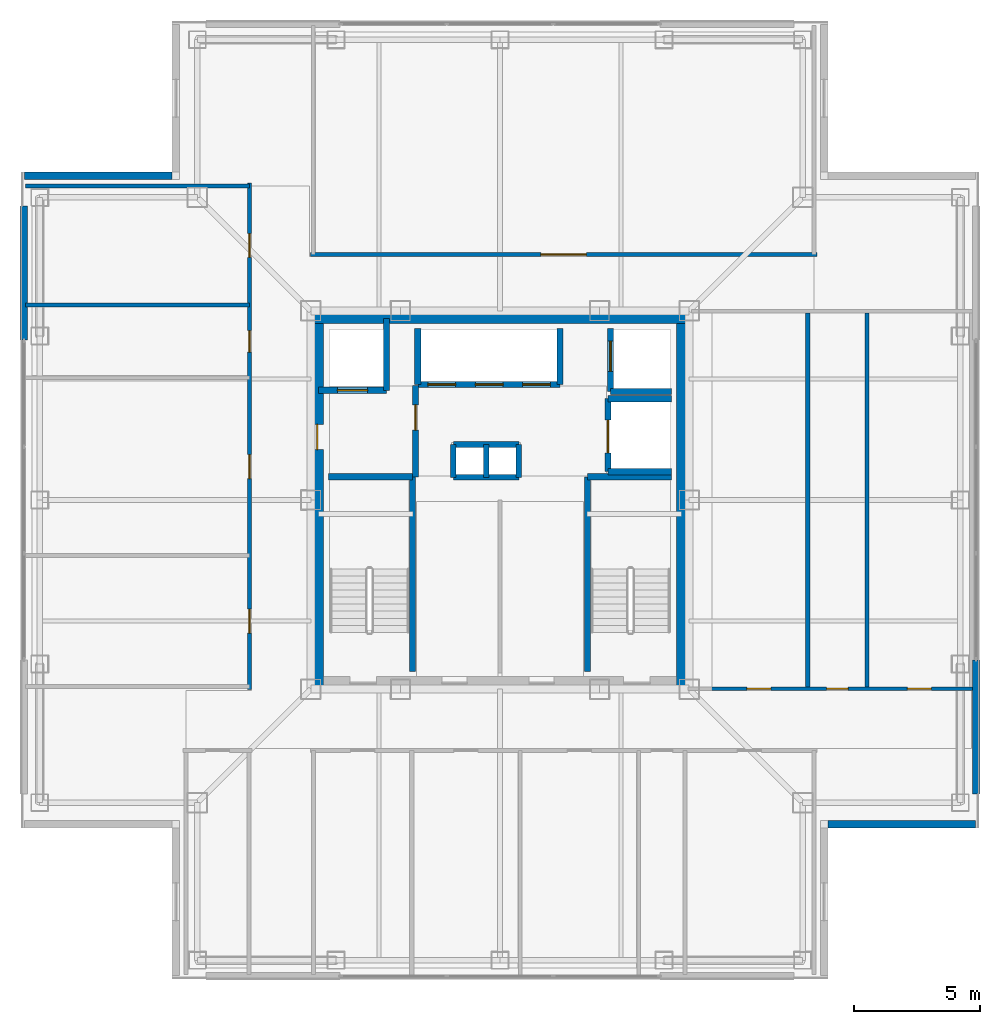
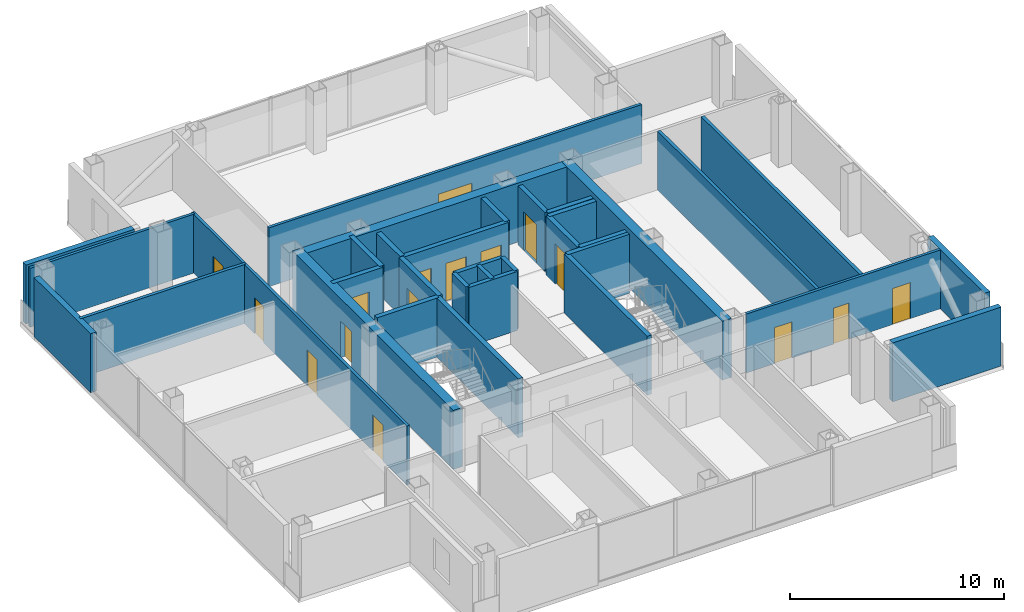
# One storey, part 9 of 16: 34 walls, 16 doors, 16 openings.
"""IFC4 building model written with IfcOpenShell, lengths in metres."""

from ifc_helpers import new_model, si_unit, direction, frame, frame_2d, origin, place, context, subcontext, project, spatial, rectangle, extrude, material, layer, layer_set, type_object, element, fill, save


model = new_model("IFC4")

# Units and contexts
model_context = context("Model", 3, precision=1e-05, world=origin(), true_north=direction((0.0, 1.0)))
body_context = subcontext(model_context, "Body", "Model", "MODEL_VIEW")
ifc_project = project(units=[si_unit("LENGTHUNIT", "METRE"), si_unit("AREAUNIT", "SQUARE_METRE"), si_unit("VOLUMEUNIT", "CUBIC_METRE"), si_unit("PLANEANGLEUNIT", "RADIAN"), si_unit("MASSUNIT", "GRAM", prefix="KILO")], contexts=[model_context])

# Site, building, storey
site_placement = place(None, origin())
site = spatial("IfcSite", under=ifc_project, at=site_placement, CompositionType="ELEMENT")
building_placement = place(site_placement, origin())
building = spatial("IfcBuilding", under=site, at=building_placement, Name="Trevonay Congress Spire", CompositionType="ELEMENT")
storey_placement = place(building_placement, frame((0.0, 0.0, 290.0)))
storey = spatial("IfcBuildingStorey", under=building, at=storey_placement, Name="L76", CompositionType="ELEMENT", Elevation=290.0)

# Wall
ifc_material_1 = material(Name="Concrete C50/60", Category="concrete")
ifc_layer_1 = layer(ifc_material_1, 0.5, Name="Concrete C50/60")
ifc_layer_set_1 = layer_set([ifc_layer_1], Name="Concrete C50/60")
wall_type_1 = type_object("IfcWallType", Name="WAL-CORE-500", PredefinedType="SHEAR", material=ifc_layer_set_1)
wall_1_placement = place(storey_placement, frame((-7.5, 7.25, 0.0), z_axis=(0.0, 0.0, 1.0), x_axis=(1.0, 0.0, 0.0)))
element("IfcWall", 1, at=wall_1_placement, inside=storey, type_object=wall_type_1, Name="L76 North structural core shear wall", PredefinedType="SHEAR", context=body_context, shape_type="SweptSolid", body=[
    extrude(rectangle(XDim=15.0, YDim=0.5, at=frame_2d((7.5, 0.0))), origin(), (0.0, 0.0, 1.0), 3.360107421875),
])

# Wall, opening, door
wall_2_placement = place(storey_placement, frame((-7.25, -7.5, 0.0), z_axis=(0.0, 0.0, 1.0), x_axis=(0.0, 1.0, 0.0)))
wall_2 = element("IfcWall", 2, at=wall_2_placement, inside=storey, type_object=wall_type_1, Name="L76 West structural core shear wall", PredefinedType="SHEAR", context=body_context, shape_type="SweptSolid", body=[
    extrude(rectangle(XDim=15.0, YDim=0.5, at=frame_2d((7.5, 0.0))), origin(), (0.0, 0.0, 1.0), 3.360107421875),
])
opening_1_placement = place(wall_2_placement, frame((9.5, 0.0, 0.0)))
opening_1 = element("IfcOpeningElement", 3, at=opening_1_placement, cuts=wall_2, Name="Opening D06", PredefinedType="OPENING", context=body_context, shape_type="SweptSolid", body=[
    extrude(rectangle(XDim=1.0, YDim=2.080078125, at=frame_2d((0.5, 1.0400390625))), frame((0.0, 0.260009765625, 0.0), z_axis=(0.0, -1.0, 0.0), x_axis=(1.0, 0.0, 0.0)), (0.0, 0.0, 1.0), 0.52001953125),
])
ifc_material_2 = material(Name="Steel ASTM A572 Grade 50", Category="steel")
door_type_1 = type_object("IfcDoorType", Name="DOR-FIRE-100", OperationType="NOTDEFINED", PredefinedType="DOOR", material=ifc_material_2)
door_1_placement = place(opening_1_placement, origin())
door_1 = element("IfcDoor", 4, at=door_1_placement, inside=storey, type_object=door_type_1, Name="L76 Firefighting Lift Lobby West Corridor Door", OperationType="SINGLE_SWING_LEFT", OverallHeight=2.080078125, OverallWidth=1.0, PredefinedType="DOOR", context=body_context, shape_type="SweptSolid", body=[
    extrude(rectangle(XDim=1.0, YDim=2.080078125, at=frame_2d((0.5, 1.0400390625))), frame((0.0, 0.02490234375, 0.0), z_axis=(0.0, -1.0, 0.0), x_axis=(1.0, 0.0, 0.0)), (0.0, 0.0, 1.0), 0.050048828125),
])
fill(opening_1, door_1)

# Wall
wall_3_placement = place(storey_placement, frame((7.25, -7.5, 0.0), z_axis=(0.0, 0.0, 1.0), x_axis=(0.0, 1.0, 0.0)))
element("IfcWall", 5, at=wall_3_placement, inside=storey, type_object=wall_type_1, Name="L76 East structural core shear wall", PredefinedType="SHEAR", context=body_context, shape_type="SweptSolid", body=[
    extrude(rectangle(XDim=15.0, YDim=0.5, at=frame_2d((7.5, 0.0))), origin(), (0.0, 0.0, 1.0), 3.360107421875),
])

# Wall, openings, doors
ifc_material_3 = material(Name="Concrete C40/50", Category="concrete")
ifc_layer_2 = layer(ifc_material_3, 0.14990234375, Name="Concrete C40/50")
ifc_layer_set_2 = layer_set([ifc_layer_2], Name="Concrete C40/50")
wall_type_2 = type_object("IfcWallType", Name="WAL-CORR-150", PredefinedType="PARTITIONING", material=ifc_layer_set_2)
wall_4_placement = place(storey_placement, frame((-9.929931640625, -7.52001953125, 0.0), z_axis=(0.0, 0.0, 1.0), x_axis=(0.0, 1.0, 0.0)))
wall_4 = element("IfcWall", 6, at=wall_4_placement, inside=storey, type_object=wall_type_2, Name="L76 interior wall WP-L76NW-COR", PredefinedType="PARTITIONING", context=body_context, shape_type="SweptSolid", body=[
    extrude(rectangle(XDim=20.090087890625, YDim=0.14990234375, at=frame_2d((10.044921875, 0.0))), origin(), (0.0, 0.0, 1.0), 3.360107421875),
])
opening_2_placement = place(wall_4_placement, frame((2.2451171875, 0.0, 0.0)))
opening_2 = element("IfcOpeningElement", 7, at=opening_2_placement, cuts=wall_4, Name="Opening D07", PredefinedType="OPENING", context=body_context, shape_type="SweptSolid", body=[
    extrude(rectangle(XDim=0.949951171875, YDim=2.06005859375, at=frame_2d((0.47509765625, 1.030029296875))), frame((0.0, 0.0849609375, 0.0), z_axis=(0.0, -1.0, 0.0), x_axis=(1.0, 0.0, 0.0)), (0.0, 0.0, 1.0), 0.169921875),
])
opening_3_placement = place(wall_4_placement, frame((8.3701171875, 0.0, 0.0)))
opening_3 = element("IfcOpeningElement", 8, at=opening_3_placement, cuts=wall_4, Name="Opening D07", PredefinedType="OPENING", context=body_context, shape_type="SweptSolid", body=[
    extrude(rectangle(XDim=0.949951171875, YDim=2.06005859375, at=frame_2d((0.47509765625, 1.030029296875))), frame((0.0, 0.0849609375, 0.0), z_axis=(0.0, -1.0, 0.0), x_axis=(1.0, 0.0, 0.0)), (0.0, 0.0, 1.0), 0.169921875),
])
opening_4_placement = place(wall_4_placement, frame((13.385009765625, 0.0, 0.0)))
opening_4 = element("IfcOpeningElement", 9, at=opening_4_placement, cuts=wall_4, Name="Opening D10", PredefinedType="OPENING", context=body_context, shape_type="SweptSolid", body=[
    extrude(rectangle(XDim=0.85009765625, YDim=2.050048828125, at=frame_2d((0.425048828125, 1.02490234375))), frame((0.0, 0.0849609375, 0.0), z_axis=(0.0, -1.0, 0.0), x_axis=(1.0, 0.0, 0.0)), (0.0, 0.0, 1.0), 0.169921875),
])
opening_5_placement = place(wall_4_placement, frame((17.135009765625, 0.0, 0.0)))
opening_5 = element("IfcOpeningElement", 10, at=opening_5_placement, cuts=wall_4, Name="Opening D07", PredefinedType="OPENING", context=body_context, shape_type="SweptSolid", body=[
    extrude(rectangle(XDim=0.949951171875, YDim=2.06005859375, at=frame_2d((0.47509765625, 1.030029296875))), frame((0.0, 0.0849609375, 0.0), z_axis=(0.0, -1.0, 0.0), x_axis=(1.0, 0.0, 0.0)), (0.0, 0.0, 1.0), 0.169921875),
])
ifc_material_4 = material(Name="Pale Anodised Aluminium EN AW-6063-T6", Category="aluminium")
door_type_2 = type_object("IfcDoorType", Name="DOR-OFFICE-95", OperationType="NOTDEFINED", PredefinedType="DOOR", material=ifc_material_4)
door_2_placement = place(opening_2_placement, origin())
door_2 = element("IfcDoor", 11, at=door_2_placement, inside=storey, type_object=door_type_2, Name="L76 Symposium Seminar Room A Door", OperationType="SINGLE_SWING_LEFT", OverallHeight=2.06005859375, OverallWidth=0.949951171875, PredefinedType="DOOR", context=body_context, shape_type="SweptSolid", body=[
    extrude(rectangle(XDim=0.949951171875, YDim=2.06005859375, at=frame_2d((0.47509765625, 1.030029296875))), frame((0.0, 0.02490234375, 0.0), z_axis=(0.0, -1.0, 0.0), x_axis=(1.0, 0.0, 0.0)), (0.0, 0.0, 1.0), 0.050048828125),
])
fill(opening_2, door_2)
door_3_placement = place(opening_3_placement, origin())
door_3 = element("IfcDoor", 12, at=door_3_placement, inside=storey, type_object=door_type_2, Name="L76 Symposium Seminar Room B Door", OperationType="SINGLE_SWING_RIGHT", OverallHeight=2.06005859375, OverallWidth=0.949951171875, PredefinedType="DOOR", context=body_context, shape_type="SweptSolid", body=[
    extrude(rectangle(XDim=0.949951171875, YDim=2.06005859375, at=frame_2d((0.47509765625, 1.030029296875))), frame((0.0, 0.02490234375, 0.0), z_axis=(0.0, -1.0, 0.0), x_axis=(1.0, 0.0, 0.0)), (0.0, 0.0, 1.0), 0.050048828125),
])
fill(opening_3, door_3)
door_4_placement = place(opening_5_placement, origin())
door_4 = element("IfcDoor", 13, at=door_4_placement, inside=storey, type_object=door_type_2, Name="L76 Floor Supplies and Copy Room Door", OperationType="SINGLE_SWING_RIGHT", OverallHeight=2.06005859375, OverallWidth=0.949951171875, PredefinedType="DOOR", context=body_context, shape_type="SweptSolid", body=[
    extrude(rectangle(XDim=0.949951171875, YDim=2.06005859375, at=frame_2d((0.47509765625, 1.030029296875))), frame((0.0, 0.02490234375, 0.0), z_axis=(0.0, -1.0, 0.0), x_axis=(1.0, 0.0, 0.0)), (0.0, 0.0, 1.0), 0.050048828125),
])
fill(opening_5, door_4)
door_type_3 = type_object("IfcDoorType", Name="DOR-WC-85", OperationType="NOTDEFINED", PredefinedType="DOOR", material=ifc_material_4)
door_5_placement = place(opening_4_placement, origin())
door_5 = element("IfcDoor", 14, at=door_5_placement, inside=storey, type_object=door_type_3, Name="L76 Male Restroom WC Door", OperationType="SINGLE_SWING_LEFT", OverallHeight=2.050048828125, OverallWidth=0.85009765625, PredefinedType="DOOR", context=body_context, shape_type="SweptSolid", body=[
    extrude(rectangle(XDim=0.85009765625, YDim=2.050048828125, at=frame_2d((0.425048828125, 1.02490234375))), frame((0.0, 0.02490234375, 0.0), z_axis=(0.0, -1.0, 0.0), x_axis=(1.0, 0.0, 0.0)), (0.0, 0.0, 1.0), 0.050048828125),
])
fill(opening_4, door_5)

# Wall, opening, door
wall_5_placement = place(storey_placement, frame((-7.52001953125, 9.72998046875, 0.0), z_axis=(0.0, 0.0, 1.0), x_axis=(1.0, 0.0, 0.0)))
wall_5 = element("IfcWall", 15, at=wall_5_placement, inside=storey, type_object=wall_type_2, Name="L76 interior wall WP-L76N-COR", PredefinedType="PARTITIONING", context=body_context, shape_type="SweptSolid", body=[
    extrude(rectangle(XDim=20.090087890625, YDim=0.14990234375, at=frame_2d((10.044921875, 0.0))), origin(), (0.0, 0.0, 1.0), 3.360107421875),
])
opening_6_placement = place(wall_5_placement, frame((9.14501953125, 0.0, 0.0)))
opening_6 = element("IfcOpeningElement", 16, at=opening_6_placement, cuts=wall_5, Name="Opening D09", PredefinedType="OPENING", context=body_context, shape_type="SweptSolid", body=[
    extrude(rectangle(XDim=1.800048828125, YDim=2.080078125, at=frame_2d((0.89990234375, 1.0400390625))), frame((0.0, 0.0849609375, 0.0), z_axis=(0.0, -1.0, 0.0), x_axis=(1.0, 0.0, 0.0)), (0.0, 0.0, 1.0), 0.169921875),
])
door_type_4 = type_object("IfcDoorType", Name="DOR-CONF-DBL", OperationType="DOUBLE_DOOR_SINGLE_SWING", PredefinedType="DOOR", material=ifc_material_4)
door_6_placement = place(opening_6_placement, origin())
door_6 = element("IfcDoor", 17, at=door_6_placement, inside=storey, type_object=door_type_4, Name="L76 Sky Chamber Recital Auditorium Door", OperationType="DOUBLE_DOOR_SINGLE_SWING", OverallHeight=2.080078125, OverallWidth=1.800048828125, PredefinedType="DOOR", context=body_context, shape_type="SweptSolid", body=[
    extrude(rectangle(XDim=1.800048828125, YDim=2.080078125, at=frame_2d((0.89990234375, 1.0400390625))), frame((0.0, 0.02490234375, 0.0), z_axis=(0.0, -1.0, 0.0), x_axis=(1.0, 0.0, 0.0)), (0.0, 0.0, 1.0), 0.050048828125),
])
fill(opening_6, door_6)

# Wall, openings, doors
wall_6_placement = place(storey_placement, frame((8.280029296875, -7.47998046875, 0.0), z_axis=(0.0, 0.0, 1.0), x_axis=(1.0, 0.0, 0.0)))
wall_6 = element("IfcWall", 18, at=wall_6_placement, inside=storey, type_object=wall_type_2, Name="L76 interior wall WP-L76E-COR", PredefinedType="PARTITIONING", context=body_context, shape_type="SweptSolid", body=[
    extrude(rectangle(XDim=10.5400390625, YDim=0.14990234375, at=frame_2d((5.27001953125, 0.0))), origin(), (0.0, 0.0, 1.0), 3.360107421875),
])
opening_7_placement = place(wall_6_placement, frame((1.5048828125, 0.0, 0.0)))
opening_7 = element("IfcOpeningElement", 19, at=opening_7_placement, cuts=wall_6, Name="Opening D07", PredefinedType="OPENING", context=body_context, shape_type="SweptSolid", body=[
    extrude(rectangle(XDim=0.949951171875, YDim=2.06005859375, at=frame_2d((0.47509765625, 1.030029296875))), frame((0.0, 0.0849609375, 0.0), z_axis=(0.0, -1.0, 0.0), x_axis=(1.0, 0.0, 0.0)), (0.0, 0.0, 1.0), 0.169921875),
])
opening_8_placement = place(wall_6_placement, frame((4.669921875, 0.0, 0.0)))
opening_8 = element("IfcOpeningElement", 20, at=opening_8_placement, cuts=wall_6, Name="Opening D10", PredefinedType="OPENING", context=body_context, shape_type="SweptSolid", body=[
    extrude(rectangle(XDim=0.85009765625, YDim=2.050048828125, at=frame_2d((0.425048828125, 1.02490234375))), frame((0.0, 0.0849609375, 0.0), z_axis=(0.0, -1.0, 0.0), x_axis=(1.0, 0.0, 0.0)), (0.0, 0.0, 1.0), 0.169921875),
])
opening_9_placement = place(wall_6_placement, frame((7.8701171875, 0.0, 0.0)))
opening_9 = element("IfcOpeningElement", 21, at=opening_9_placement, cuts=wall_6, Name="Opening D07", PredefinedType="OPENING", context=body_context, shape_type="SweptSolid", body=[
    extrude(rectangle(XDim=0.949951171875, YDim=2.06005859375, at=frame_2d((0.47509765625, 1.030029296875))), frame((0.0, 0.0849609375, 0.0), z_axis=(0.0, -1.0, 0.0), x_axis=(1.0, 0.0, 0.0)), (0.0, 0.0, 1.0), 0.169921875),
])
door_7_placement = place(opening_7_placement, origin())
door_7 = element("IfcDoor", 22, at=door_7_placement, inside=storey, type_object=door_type_2, Name="L76 Forum Catering Kitchen Door", OperationType="SINGLE_SWING_LEFT", OverallHeight=2.06005859375, OverallWidth=0.949951171875, PredefinedType="DOOR", context=body_context, shape_type="SweptSolid", body=[
    extrude(rectangle(XDim=0.949951171875, YDim=2.06005859375, at=frame_2d((0.47509765625, 1.030029296875))), frame((0.0, 0.02490234375, 0.0), z_axis=(0.0, -1.0, 0.0), x_axis=(1.0, 0.0, 0.0)), (0.0, 0.0, 1.0), 0.050048828125),
])
fill(opening_7, door_7)
door_8_placement = place(opening_9_placement, origin())
door_8 = element("IfcDoor", 23, at=door_8_placement, inside=storey, type_object=door_type_2, Name="L76 Floor Supplies and Copy Room Door", OperationType="SINGLE_SWING_LEFT", OverallHeight=2.06005859375, OverallWidth=0.949951171875, PredefinedType="DOOR", context=body_context, shape_type="SweptSolid", body=[
    extrude(rectangle(XDim=0.949951171875, YDim=2.06005859375, at=frame_2d((0.47509765625, 1.030029296875))), frame((0.0, 0.02490234375, 0.0), z_axis=(0.0, -1.0, 0.0), x_axis=(1.0, 0.0, 0.0)), (0.0, 0.0, 1.0), 0.050048828125),
])
fill(opening_9, door_8)
door_9_placement = place(opening_8_placement, origin())
door_9 = element("IfcDoor", 24, at=door_9_placement, inside=storey, type_object=door_type_3, Name="L76 Female Restroom WC Door", OperationType="SINGLE_SWING_RIGHT", OverallHeight=2.050048828125, OverallWidth=0.85009765625, PredefinedType="DOOR", context=body_context, shape_type="SweptSolid", body=[
    extrude(rectangle(XDim=0.85009765625, YDim=2.050048828125, at=frame_2d((0.425048828125, 1.02490234375))), frame((0.0, 0.02490234375, 0.0), z_axis=(0.0, -1.0, 0.0), x_axis=(1.0, 0.0, 0.0)), (0.0, 0.0, 1.0), 0.050048828125),
])
fill(opening_8, door_9)

# Walls
ifc_material_5 = material(Name="Precast concrete C40/50", Category="concrete")
ifc_layer_3 = layer(ifc_material_5, 0.300048828125, Name="Precast concrete C40/50")
ifc_layer_set_3 = layer_set([ifc_layer_3], Name="Precast concrete C40/50")
wall_type_3 = type_object("IfcWallType", Name="WAL-EXT-PRECAST-300", PredefinedType="SOLIDWALL", material=ifc_layer_set_3)
for number, where, z_axis, x_axis, name in (
    (25, (-18.8798828125, 6.35009765625, 0.0), (0.0, 0.0, 1.0), (0.0, 1.0, 0.0), "L76 WR braced-bay exterior pier wall"),
    (26, (18.8798828125, -11.64990234375, 0.0), (0.0, 0.0, 1.0), (0.0, 1.0, 0.0), "L76 EL braced-bay exterior pier wall"),
):
    element("IfcWall", number, at=place(storey_placement, frame(where, z_axis=z_axis, x_axis=x_axis)), inside=storey, type_object=wall_type_3, Name=name, PredefinedType="SOLIDWALL", context=body_context, shape_type="SweptSolid", body=[
        extrude(rectangle(XDim=5.2998046875, YDim=0.300048828125, at=frame_2d((2.64990234375, 0.0))), origin(), (0.0, 0.0, 1.0), 3.360107421875),
    ])
for number, where, z_axis, x_axis, name in (
    (27, (18.85009765625, -12.85009765625, 0.0), (0.0, 0.0, 1.0), (-1.0, 0.0, 0.0), "L76 SE re-entrant notch exterior wall 2"),
    (28, (-18.85009765625, 12.85009765625, 0.0), (0.0, 0.0, 1.0), (1.0, 0.0, 0.0), "L76 NW re-entrant notch exterior wall 2"),
):
    element("IfcWall", number, at=place(storey_placement, frame(where, z_axis=z_axis, x_axis=x_axis)), inside=storey, type_object=wall_type_3, Name=name, PredefinedType="SOLIDWALL", context=body_context, shape_type="SweptSolid", body=[
        extrude(rectangle(XDim=5.85009765625, YDim=0.300048828125, at=frame_2d((2.925048828125, 0.0))), origin(), (0.0, 0.0, 1.0), 3.360107421875),
    ])
ifc_layer_4 = layer(ifc_material_3, 0.14990234375, Name="Concrete C40/50")
ifc_layer_set_4 = layer_set([ifc_layer_4], Name="Concrete C40/50")
wall_type_4 = type_object("IfcWallType", Name="WAL-PART-150", PredefinedType="PARTITIONING", material=ifc_layer_set_4)
wall_7_placement = place(storey_placement, frame((-18.820068359375, 12.449951171875, 0.0), z_axis=(0.0, 0.0, 1.0), x_axis=(1.0, 0.0, 0.0)))
element("IfcWall", 29, at=wall_7_placement, inside=storey, type_object=wall_type_4, Name="L76 interior wall WP-L76NW-DIV4", PredefinedType="PARTITIONING", context=body_context, shape_type="SweptSolid", body=[
    extrude(rectangle(XDim=8.89013671875, YDim=0.14990234375, at=frame_2d((4.445068359375, 0.0))), origin(), (0.0, 0.0, 1.0), 3.360107421875),
])
ifc_layer_5 = layer(ifc_material_3, 0.219970703125, Name="Concrete C40/50")
ifc_layer_set_5 = layer_set([ifc_layer_5], Name="Concrete C40/50")
wall_type_5 = type_object("IfcWallType", Name="WAL-SHAFT-220", PredefinedType="PARTITIONING", material=ifc_layer_set_5)
for number, where, z_axis, x_axis, name in (
    (30, (-1.85009765625, 2.199951171875, 0.0), (0.0, 0.0, 1.0), (1.0, 0.0, 0.0), "L76 interior shaft wall WSH-L76-RSR-N"),
    (31, (-1.85009765625, 0.89990234375, 0.0), (0.0, 0.0, 1.0), (1.0, 0.0, 0.0), "L76 interior shaft wall WSH-L76-RSR-S"),
):
    element("IfcWall", number, at=place(storey_placement, frame(where, z_axis=z_axis, x_axis=x_axis)), inside=storey, type_object=wall_type_5, Name=name, PredefinedType="PARTITIONING", context=body_context, shape_type="SweptSolid", body=[
        extrude(rectangle(XDim=2.60009765625, YDim=0.219970703125, at=frame_2d((1.300048828125, 0.0))), origin(), (0.0, 0.0, 1.0), 3.360107421875),
    ])
for number, where, z_axis, x_axis, name in (
    (32, (-0.550048828125, 0.89990234375, 0.0), (0.0, 0.0, 1.0), (0.0, 1.0, 0.0), "L76 interior shaft wall WSH-L76-RSR-M"),
    (33, (0.75, 0.89990234375, 0.0), (0.0, 0.0, 1.0), (0.0, 1.0, 0.0), "L76 interior shaft wall WSH-L76-RSR-E"),
    (34, (-1.85009765625, 0.89990234375, 0.0), (0.0, 0.0, 1.0), (0.0, 1.0, 0.0), "L76 interior shaft wall WSH-L76-RSR-W"),
):
    element("IfcWall", number, at=place(storey_placement, frame(where, z_axis=z_axis, x_axis=x_axis)), inside=storey, type_object=wall_type_5, Name=name, PredefinedType="PARTITIONING", context=body_context, shape_type="SweptSolid", body=[
        extrude(rectangle(XDim=1.300048828125, YDim=0.219970703125, at=frame_2d((0.64990234375, 0.0))), origin(), (0.0, 0.0, 1.0), 3.360107421875),
    ])

# Wall, openings, doors
ifc_layer_6 = layer(ifc_material_3, 0.25, Name="Concrete C40/50")
ifc_layer_set_6 = layer_set([ifc_layer_6], Name="Concrete C40/50")
wall_type_6 = type_object("IfcWallType", Name="WAL-SHAFT-250", PredefinedType="SHEAR", material=ifc_layer_set_6)
wall_8_placement = place(storey_placement, frame((-3.260009765625, 4.580078125, 0.0), z_axis=(0.0, 0.0, 1.0), x_axis=(1.0, 0.0, 0.0)))
wall_8 = element("IfcWall", 35, at=wall_8_placement, inside=storey, type_object=wall_type_6, Name="L76 interior shaft wall WSH-L76-B3-S", PredefinedType="SHEAR", context=body_context, shape_type="SweptSolid", body=[
    extrude(rectangle(XDim=5.639892578125, YDim=0.25, at=frame_2d((2.81982421875, 0.0))), origin(), (0.0, 0.0, 1.0), 3.360107421875),
])
opening_10_placement = place(wall_8_placement, frame((0.39990234375, 0.0, 0.0)))
opening_10 = element("IfcOpeningElement", 36, at=opening_10_placement, cuts=wall_8, Name="Opening LD03", PredefinedType="OPENING", context=body_context, shape_type="SweptSolid", body=[
    extrude(rectangle(XDim=1.10009765625, YDim=2.199951171875, at=frame_2d((0.550048828125, 1.10009765625))), frame((0.0, 0.135009765625, 0.0), z_axis=(0.0, -1.0, 0.0), x_axis=(1.0, 0.0, 0.0)), (0.0, 0.0, 1.0), 0.27001953125),
])
opening_11_placement = place(wall_8_placement, frame((2.280029296875, 0.0, 0.0)))
opening_11 = element("IfcOpeningElement", 37, at=opening_11_placement, cuts=wall_8, Name="Opening LD03", PredefinedType="OPENING", context=body_context, shape_type="SweptSolid", body=[
    extrude(rectangle(XDim=1.10009765625, YDim=2.199951171875, at=frame_2d((0.550048828125, 1.10009765625))), frame((0.0, 0.135009765625, 0.0), z_axis=(0.0, -1.0, 0.0), x_axis=(1.0, 0.0, 0.0)), (0.0, 0.0, 1.0), 0.27001953125),
])
opening_12_placement = place(wall_8_placement, frame((4.159912109375, 0.0, 0.0)))
opening_12 = element("IfcOpeningElement", 38, at=opening_12_placement, cuts=wall_8, Name="Opening LD03", PredefinedType="OPENING", context=body_context, shape_type="SweptSolid", body=[
    extrude(rectangle(XDim=1.10009765625, YDim=2.199951171875, at=frame_2d((0.550048828125, 1.10009765625))), frame((0.0, 0.135009765625, 0.0), z_axis=(0.0, -1.0, 0.0), x_axis=(1.0, 0.0, 0.0)), (0.0, 0.0, 1.0), 0.27001953125),
])
door_type_5 = type_object("IfcDoorType", Name="DOR-LIFT-LD03", OperationType="DOUBLE_DOOR_SLIDING", PredefinedType="DOOR", material=ifc_material_4)
door_10_placement = place(opening_10_placement, origin())
door_10 = element("IfcDoor", 39, at=door_10_placement, inside=storey, type_object=door_type_5, Name="L76 Passenger lift PL-07 landing door", OperationType="DOUBLE_DOOR_SLIDING", OverallHeight=2.199951171875, OverallWidth=1.10009765625, PredefinedType="DOOR", context=body_context, shape_type="SweptSolid", body=[
    extrude(rectangle(XDim=1.10009765625, YDim=2.199951171875, at=frame_2d((0.550048828125, 1.10009765625))), frame((0.0, 0.02490234375, 0.0), z_axis=(0.0, -1.0, 0.0), x_axis=(1.0, 0.0, 0.0)), (0.0, 0.0, 1.0), 0.050048828125),
])
fill(opening_10, door_10)
door_11_placement = place(opening_11_placement, origin())
door_11 = element("IfcDoor", 40, at=door_11_placement, inside=storey, type_object=door_type_5, Name="L76 Passenger lift PL-08 landing door", OperationType="DOUBLE_DOOR_SLIDING", OverallHeight=2.199951171875, OverallWidth=1.10009765625, PredefinedType="DOOR", context=body_context, shape_type="SweptSolid", body=[
    extrude(rectangle(XDim=1.10009765625, YDim=2.199951171875, at=frame_2d((0.550048828125, 1.10009765625))), frame((0.0, 0.02490234375, 0.0), z_axis=(0.0, -1.0, 0.0), x_axis=(1.0, 0.0, 0.0)), (0.0, 0.0, 1.0), 0.050048828125),
])
fill(opening_11, door_11)
door_12_placement = place(opening_12_placement, origin())
door_12 = element("IfcDoor", 41, at=door_12_placement, inside=storey, type_object=door_type_5, Name="L76 Passenger lift PL-09 landing door", OperationType="DOUBLE_DOOR_SLIDING", OverallHeight=2.199951171875, OverallWidth=1.10009765625, PredefinedType="DOOR", context=body_context, shape_type="SweptSolid", body=[
    extrude(rectangle(XDim=1.10009765625, YDim=2.199951171875, at=frame_2d((0.550048828125, 1.10009765625))), frame((0.0, 0.02490234375, 0.0), z_axis=(0.0, -1.0, 0.0), x_axis=(1.0, 0.0, 0.0)), (0.0, 0.0, 1.0), 0.050048828125),
])
fill(opening_12, door_12)

# Walls
for number, where, z_axis, x_axis, name in (
    (42, (-3.260009765625, 4.580078125, 0.0), (0.0, 0.0, 1.0), (0.0, 1.0, 0.0), "L76 interior shaft wall WSH-L76-B3-W"),
    (43, (2.3798828125, 4.580078125, 0.0), (0.0, 0.0, 1.0), (0.0, 1.0, 0.0), "L76 interior shaft wall WSH-L76-B3-E"),
):
    element("IfcWall", number, at=place(storey_placement, frame(where, z_axis=z_axis, x_axis=x_axis)), inside=storey, type_object=wall_type_6, Name=name, PredefinedType="SHEAR", context=body_context, shape_type="SweptSolid", body=[
        extrude(rectangle(XDim=2.219970703125, YDim=0.25, at=frame_2d((1.10986328125, 0.0))), origin(), (0.0, 0.0, 1.0), 3.360107421875),
    ])

# Wall, opening, door
wall_9_placement = place(storey_placement, frame((-7.199951171875, 4.35009765625, 0.0), z_axis=(0.0, 0.0, 1.0), x_axis=(1.0, 0.0, 0.0)))
wall_9 = element("IfcWall", 44, at=wall_9_placement, inside=storey, type_object=wall_type_6, Name="L76 interior shaft wall WSH-L76-FF1-S", PredefinedType="SHEAR", context=body_context, shape_type="SweptSolid", body=[
    extrude(rectangle(XDim=2.699951171875, YDim=0.25, at=frame_2d((1.35009765625, 0.0))), origin(), (0.0, 0.0, 1.0), 3.360107421875),
])
opening_13_placement = place(wall_9_placement, frame((0.75, 0.0, 0.0)))
opening_13 = element("IfcOpeningElement", 45, at=opening_13_placement, cuts=wall_9, Name="Opening LD04", PredefinedType="OPENING", context=body_context, shape_type="SweptSolid", body=[
    extrude(rectangle(XDim=1.199951171875, YDim=2.199951171875, at=frame_2d((0.60009765625, 1.10009765625))), frame((0.0, 0.135009765625, 0.0), z_axis=(0.0, -1.0, 0.0), x_axis=(1.0, 0.0, 0.0)), (0.0, 0.0, 1.0), 0.27001953125),
])
door_type_6 = type_object("IfcDoorType", Name="DOR-LIFT-LD04", OperationType="DOUBLE_DOOR_SLIDING", PredefinedType="DOOR", material=ifc_material_2)
door_13_placement = place(opening_13_placement, origin())
door_13 = element("IfcDoor", 46, at=door_13_placement, inside=storey, type_object=door_type_6, Name="L76 Firefighting lift FFL-01 landing door", OperationType="DOUBLE_DOOR_SLIDING", OverallHeight=2.199951171875, OverallWidth=1.199951171875, PredefinedType="DOOR", context=body_context, shape_type="SweptSolid", body=[
    extrude(rectangle(XDim=1.199951171875, YDim=2.199951171875, at=frame_2d((0.60009765625, 1.10009765625))), frame((0.0, 0.02490234375, 0.0), z_axis=(0.0, -1.0, 0.0), x_axis=(1.0, 0.0, 0.0)), (0.0, 0.0, 1.0), 0.050048828125),
])
fill(opening_13, door_13)

# Walls
wall_10_placement = place(storey_placement, frame((-4.5, 4.35009765625, 0.0), z_axis=(0.0, 0.0, 1.0), x_axis=(0.0, 1.0, 0.0)))
element("IfcWall", 47, at=wall_10_placement, inside=storey, type_object=wall_type_6, Name="L76 interior shaft wall WSH-L76-FF1-E", PredefinedType="SHEAR", context=body_context, shape_type="SweptSolid", body=[
    extrude(rectangle(XDim=2.849853515625, YDim=0.25, at=frame_2d((1.4248046875, 0.0))), origin(), (0.0, 0.0, 1.0), 3.360107421875),
])
wall_11_placement = place(storey_placement, frame((4.3798828125, 4.300048828125, 0.0), z_axis=(0.0, 0.0, 1.0), x_axis=(1.0, 0.0, 0.0)))
element("IfcWall", 48, at=wall_11_placement, inside=storey, type_object=wall_type_6, Name="L76 interior shaft wall WSH-L76-FF2-S", PredefinedType="SHEAR", context=body_context, shape_type="SweptSolid", body=[
    extrude(rectangle(XDim=2.420166015625, YDim=0.25, at=frame_2d((1.2099609375, 0.0))), origin(), (0.0, 0.0, 1.0), 3.360107421875),
])

# Wall, opening, door
wall_12_placement = place(storey_placement, frame((4.3798828125, 4.300048828125, 0.0), z_axis=(0.0, 0.0, 1.0), x_axis=(0.0, 1.0, 0.0)))
wall_12 = element("IfcWall", 49, at=wall_12_placement, inside=storey, type_object=wall_type_6, Name="L76 interior shaft wall WSH-L76-FF2-W", PredefinedType="SHEAR", context=body_context, shape_type="SweptSolid", body=[
    extrude(rectangle(XDim=2.5, YDim=0.25, at=frame_2d((1.25, 0.0))), origin(), (0.0, 0.0, 1.0), 3.360107421875),
])
opening_14_placement = place(wall_12_placement, frame((0.800048828125, 0.0, 0.0)))
opening_14 = element("IfcOpeningElement", 50, at=opening_14_placement, cuts=wall_12, Name="Opening LD04", PredefinedType="OPENING", context=body_context, shape_type="SweptSolid", body=[
    extrude(rectangle(XDim=1.199951171875, YDim=2.199951171875, at=frame_2d((0.60009765625, 1.10009765625))), frame((0.0, 0.135009765625, 0.0), z_axis=(0.0, -1.0, 0.0), x_axis=(1.0, 0.0, 0.0)), (0.0, 0.0, 1.0), 0.27001953125),
])
door_14_placement = place(opening_14_placement, origin())
door_14 = element("IfcDoor", 51, at=door_14_placement, inside=storey, type_object=door_type_6, Name="L76 Firefighting lift FFL-02 landing door", OperationType="DOUBLE_DOOR_SLIDING", OverallHeight=2.199951171875, OverallWidth=1.199951171875, PredefinedType="DOOR", context=body_context, shape_type="SweptSolid", body=[
    extrude(rectangle(XDim=1.199951171875, YDim=2.199951171875, at=frame_2d((0.60009765625, 1.10009765625))), frame((0.0, 0.02490234375, 0.0), z_axis=(0.0, -1.0, 0.0), x_axis=(1.0, 0.0, 0.0)), (0.0, 0.0, 1.0), 0.050048828125),
])
fill(opening_14, door_14)

wall_13_placement = place(storey_placement, frame((4.280029296875, 1.1201171875, 0.0), z_axis=(0.0, 0.0, 1.0), x_axis=(0.0, 1.0, 0.0)))
wall_13 = element("IfcWall", 52, at=wall_13_placement, inside=storey, type_object=wall_type_6, Name="L76 interior shaft wall WSH-L76-SV-W", PredefinedType="SHEAR", context=body_context, shape_type="SweptSolid", body=[
    extrude(rectangle(XDim=2.89990234375, YDim=0.25, at=frame_2d((1.449951171875, 0.0))), origin(), (0.0, 0.0, 1.0), 3.360107421875),
])
opening_15_placement = place(wall_13_placement, frame((0.75, 0.0, 0.0)))
opening_15 = element("IfcOpeningElement", 53, at=opening_15_placement, cuts=wall_13, Name="Opening LD05", PredefinedType="OPENING", context=body_context, shape_type="SweptSolid", body=[
    extrude(rectangle(XDim=1.300048828125, YDim=2.300048828125, at=frame_2d((0.64990234375, 1.14990234375))), frame((0.0, 0.135009765625, 0.0), z_axis=(0.0, -1.0, 0.0), x_axis=(1.0, 0.0, 0.0)), (0.0, 0.0, 1.0), 0.27001953125),
])
door_type_7 = type_object("IfcDoorType", Name="DOR-LIFT-LD05", OperationType="DOUBLE_DOOR_SLIDING", PredefinedType="DOOR", material=ifc_material_2)
door_15_placement = place(opening_15_placement, origin())
door_15 = element("IfcDoor", 54, at=door_15_placement, inside=storey, type_object=door_type_7, Name="L76 Goods lift SVL-01 landing door", OperationType="DOUBLE_DOOR_SLIDING", OverallHeight=2.300048828125, OverallWidth=1.300048828125, PredefinedType="DOOR", context=body_context, shape_type="SweptSolid", body=[
    extrude(rectangle(XDim=1.300048828125, YDim=2.300048828125, at=frame_2d((0.64990234375, 1.14990234375))), frame((0.0, 0.02490234375, 0.0), z_axis=(0.0, -1.0, 0.0), x_axis=(1.0, 0.0, 0.0)), (0.0, 0.0, 1.0), 0.050048828125),
])
fill(opening_15, door_15)

# Walls
for number, where, z_axis, x_axis, name in (
    (55, (4.280029296875, 1.1201171875, 0.0), (0.0, 0.0, 1.0), (1.0, 0.0, 0.0), "L76 interior shaft wall WSH-L76-SV-S"),
    (56, (4.280029296875, 4.02001953125, 0.0), (0.0, 0.0, 1.0), (1.0, 0.0, 0.0), "L76 interior shaft wall WSH-L76-SV-N"),
):
    element("IfcWall", number, at=place(storey_placement, frame(where, z_axis=z_axis, x_axis=x_axis)), inside=storey, type_object=wall_type_6, Name=name, PredefinedType="SHEAR", context=body_context, shape_type="SweptSolid", body=[
        extrude(rectangle(XDim=2.52001953125, YDim=0.25, at=frame_2d((1.260009765625, 0.0))), origin(), (0.0, 0.0, 1.0), 3.360107421875),
    ])

# Wall, opening, door
wall_14_placement = place(storey_placement, frame((-3.35009765625, 0.919921875, 0.0), z_axis=(0.0, 0.0, 1.0), x_axis=(0.0, 1.0, 0.0)))
wall_14 = element("IfcWall", 57, at=wall_14_placement, inside=storey, type_object=wall_type_6, Name="L76 interior wall CW-FFLW-E-L76", PredefinedType="SHEAR", context=body_context, shape_type="SweptSolid", body=[
    extrude(rectangle(XDim=3.6201171875, YDim=0.25, at=frame_2d((1.81005859375, 0.0))), origin(), (0.0, 0.0, 1.0), 3.360107421875),
])
opening_16_placement = place(wall_14_placement, frame((1.85009765625, 0.0, 0.0)))
opening_16 = element("IfcOpeningElement", 58, at=opening_16_placement, cuts=wall_14, Name="Opening D06", PredefinedType="OPENING", context=body_context, shape_type="SweptSolid", body=[
    extrude(rectangle(XDim=1.0, YDim=2.080078125, at=frame_2d((0.5, 1.0400390625))), frame((0.0, 0.135009765625, 0.0), z_axis=(0.0, -1.0, 0.0), x_axis=(1.0, 0.0, 0.0)), (0.0, 0.0, 1.0), 0.27001953125),
])
door_16_placement = place(opening_16_placement, origin())
door_16 = element("IfcDoor", 59, at=door_16_placement, inside=storey, type_object=door_type_1, Name="L76 Firefighting Core Lobby Transfer Door", OperationType="SINGLE_SWING_RIGHT", OverallHeight=2.080078125, OverallWidth=1.0, PredefinedType="DOOR", context=body_context, shape_type="SweptSolid", body=[
    extrude(rectangle(XDim=1.0, YDim=2.080078125, at=frame_2d((0.5, 1.0400390625))), frame((0.0, 0.02490234375, 0.0), z_axis=(0.0, -1.0, 0.0), x_axis=(1.0, 0.0, 0.0)), (0.0, 0.0, 1.0), 0.050048828125),
])
fill(opening_16, door_16)

# Walls
ifc_layer_7 = layer(ifc_material_3, 0.25, Name="Concrete C40/50")
ifc_layer_set_7 = layer_set([ifc_layer_7], Name="Concrete C40/50")
wall_type_7 = type_object("IfcWallType", Name="WAL-SHAFT-LB-250", PredefinedType="SHEAR", material=ifc_layer_set_7)
wall_15_placement = place(storey_placement, frame((-3.469970703125, -6.800048828125, 0.0), z_axis=(0.0, 0.0, 1.0), x_axis=(0.0, 1.0, 0.0)))
element("IfcWall", 60, at=wall_15_placement, inside=storey, type_object=wall_type_7, Name="L76 interior shaft wall WSH-L76-ST1-E", PredefinedType="SHEAR", context=body_context, shape_type="SweptSolid", body=[
    extrude(rectangle(XDim=7.719970703125, YDim=0.25, at=frame_2d((3.85986328125, 0.0))), origin(), (0.0, 0.0, 1.0), 3.360107421875),
])
wall_16_placement = place(storey_placement, frame((-6.800048828125, 0.919921875, 0.0), z_axis=(0.0, 0.0, 1.0), x_axis=(1.0, 0.0, 0.0)))
element("IfcWall", 61, at=wall_16_placement, inside=storey, type_object=wall_type_7, Name="L76 interior shaft wall WSH-L76-ST1-N", PredefinedType="SHEAR", context=body_context, shape_type="SweptSolid", body=[
    extrude(rectangle(XDim=3.330078125, YDim=0.25, at=frame_2d((1.6650390625, 0.0))), origin(), (0.0, 0.0, 1.0), 3.360107421875),
])
wall_17_placement = place(storey_placement, frame((3.469970703125, -6.800048828125, 0.0), z_axis=(0.0, 0.0, 1.0), x_axis=(0.0, 1.0, 0.0)))
element("IfcWall", 62, at=wall_17_placement, inside=storey, type_object=wall_type_7, Name="L76 interior shaft wall WSH-L76-ST2-W", PredefinedType="SHEAR", context=body_context, shape_type="SweptSolid", body=[
    extrude(rectangle(XDim=7.719970703125, YDim=0.25, at=frame_2d((3.85986328125, 0.0))), origin(), (0.0, 0.0, 1.0), 3.360107421875),
])
wall_18_placement = place(storey_placement, frame((3.469970703125, 0.919921875, 0.0), z_axis=(0.0, 0.0, 1.0), x_axis=(1.0, 0.0, 0.0)))
element("IfcWall", 63, at=wall_18_placement, inside=storey, type_object=wall_type_7, Name="L76 interior shaft wall WSH-L76-ST2-N", PredefinedType="SHEAR", context=body_context, shape_type="SweptSolid", body=[
    extrude(rectangle(XDim=3.330078125, YDim=0.25, at=frame_2d((1.6650390625, 0.0))), origin(), (0.0, 0.0, 1.0), 3.360107421875),
])
ifc_layer_8 = layer(ifc_material_3, 0.1650390625, Name="Concrete C40/50")
ifc_layer_set_8 = layer_set([ifc_layer_8], Name="Concrete C40/50")
wall_type_8 = type_object("IfcWallType", Name="WAL-WET-165", PredefinedType="PLUMBINGWALL", material=ifc_layer_set_8)
wall_19_placement = place(storey_placement, frame((-18.820068359375, 7.72998046875, 0.0), z_axis=(0.0, 0.0, 1.0), x_axis=(1.0, 0.0, 0.0)))
element("IfcWall", 64, at=wall_19_placement, inside=storey, type_object=wall_type_8, Name="L76 interior wall WP-L76NW-WCS3", PredefinedType="PLUMBINGWALL", context=body_context, shape_type="SweptSolid", body=[
    extrude(rectangle(XDim=8.89013671875, YDim=0.1650390625, at=frame_2d((4.445068359375, 0.0))), origin(), (0.0, 0.0, 1.0), 3.360107421875),
])
for number, where, z_axis, x_axis, name in (
    (65, (14.550048828125, -7.47998046875, 0.0), (0.0, 0.0, 1.0), (0.0, 1.0, 0.0), "L76 interior wall WP-L76E-WCS2"),
    (66, (12.199951171875, -7.47998046875, 0.0), (0.0, 0.0, 1.0), (0.0, 1.0, 0.0), "L76 interior wall WP-L76E-DIV1"),
):
    element("IfcWall", number, at=place(storey_placement, frame(where, z_axis=z_axis, x_axis=x_axis)), inside=storey, type_object=wall_type_8, Name=name, PredefinedType="PLUMBINGWALL", context=body_context, shape_type="SweptSolid", body=[
        extrude(rectangle(XDim=14.89990234375, YDim=0.1650390625, at=frame_2d((7.449951171875, 0.0))), origin(), (0.0, 0.0, 1.0), 3.360107421875),
    ])

save(model, "model.ifc")
